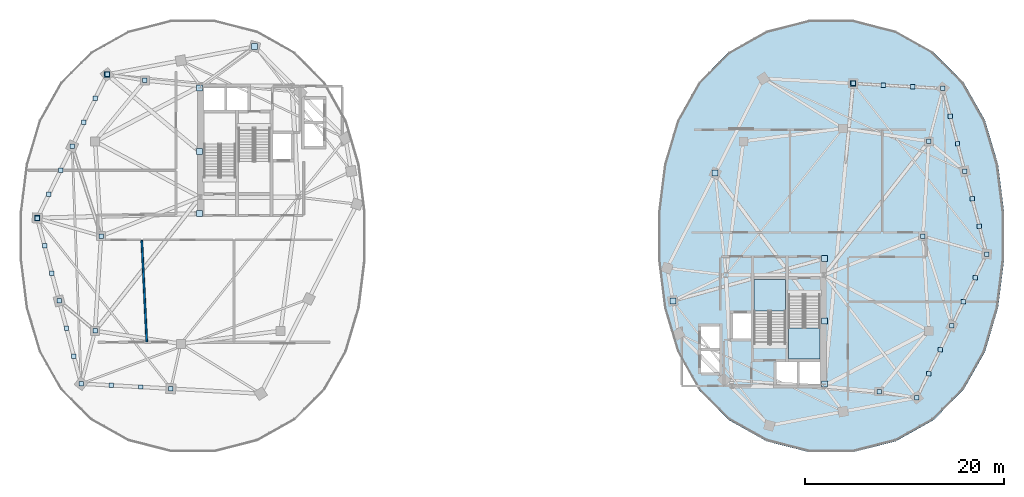
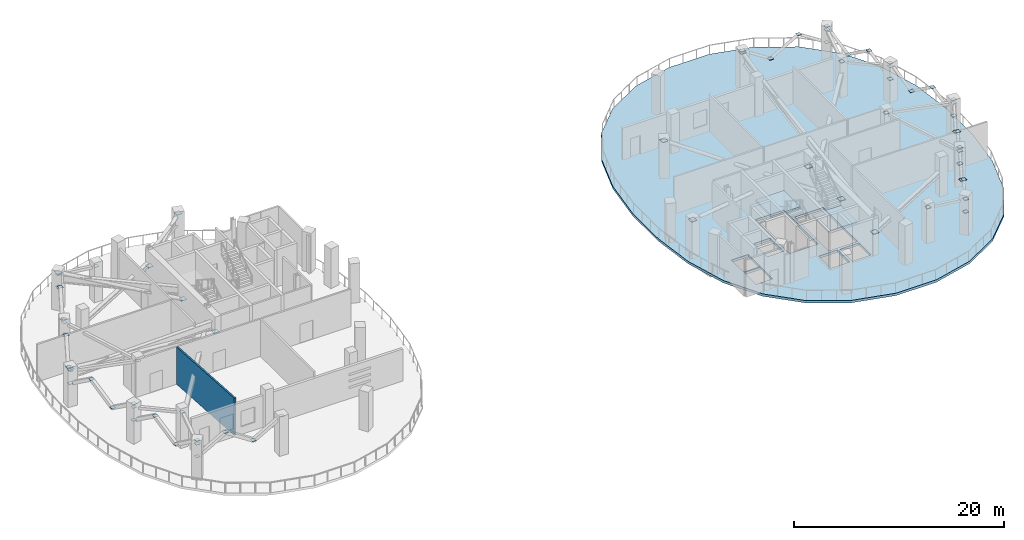
# One storey, part 6 of 14: 68 plates, 3 slabs, 1 wall, 2 elements without a shape of their own.
"""IFC4 building model written with IfcOpenShell, lengths in metres."""

from ifc_helpers import new_model, si_unit, direction, frame, frame_2d, origin, origin_2d, place, context, subcontext, project, spatial, polyline, rectangle, outline, extrude, material, layer, layer_set, type_object, element, aggregate, save


model = new_model("IFC4")

# Units and contexts
model_context = context("Model", 3, precision=1e-05, world=origin(), true_north=direction((0.0, 1.0)))
body_context = subcontext(model_context, "Body", "Model", "MODEL_VIEW")
ifc_project = project(units=[si_unit("LENGTHUNIT", "METRE"), si_unit("AREAUNIT", "SQUARE_METRE"), si_unit("VOLUMEUNIT", "CUBIC_METRE"), si_unit("PLANEANGLEUNIT", "RADIAN"), si_unit("MASSUNIT", "GRAM", prefix="KILO"), si_unit("THERMODYNAMICTEMPERATUREUNIT", "KELVIN"), si_unit("POWERUNIT", "WATT")], contexts=[model_context])

# Site, building, storey
site_placement = place(None, origin())
site = spatial("IfcSite", under=ifc_project, at=site_placement, CompositionType="ELEMENT")
building_placement = place(site_placement, origin())
building = spatial("IfcBuilding", under=site, at=building_placement, Name="Cundina Bronze Exchange", CompositionType="ELEMENT")
storey_placement = place(building_placement, frame((0.0, 0.0, 187.199951171875)))
storey = spatial("IfcBuildingStorey", under=building, at=storey_placement, Name="L49", CompositionType="ELEMENT", Elevation=187.199951171875)

# Plates
ifc_material_1 = material(Name="Steel ASTM A572 Grade 50", Category="steel")
ifc_layer_1 = layer(ifc_material_1, 0.02001953125, Name="Steel ASTM A572 Grade 50", Category="steel")
ifc_layer_set_1 = layer_set([ifc_layer_1], Name="Steel ASTM A572 Grade 50")
plate_type_1 = type_object("IfcPlateType", Name="PLT-CAP-STL20", PredefinedType="USERDEFINED", material=ifc_layer_set_1)
for number, where, z_axis, x_axis, name in (
    (1, (-47.60009765625, 1.800048828125, 2.400146484375), (0.0, 0.0, 1.0), (1.0, 0.0, 0.0), "L49 W Perimeter Belt M-Truss Diagonal 1A End Cap Plate 1"),
    (2, (-46.86669921875, -0.966796875, 4.2900390625), (0.0, 0.0, 1.0), (1.0, 0.0, 0.0), "L49 W Perimeter Belt M-Truss Diagonal 1A End Cap Plate 2"),
    (3, (-46.13330078125, -3.7333984375, 2.400146484375), (0.0, 0.0, 1.0), (1.0, 0.0, 0.0), "L49 W Perimeter Belt M-Truss Diagonal 1B End Cap Plate 2"),
    (4, (-45.39990234375, -6.5, 4.2900390625), (0.0, 0.0, 1.0), (1.0, 0.0, 0.0), "L49 W Perimeter Belt M-Truss Diagonal 1C End Cap Plate 2"),
    (5, (-41.199951171875, 0.0, 3.880126953125), (0.0, 0.0, 1.0), (1.0, 0.0, 0.0), "L49 W Outrigger Collector Strut 1 End Cap Plate 1"),
    (6, (-47.60009765625, 1.800048828125, 3.880126953125), (0.0, 0.0, 1.0), (1.0, 0.0, 0.0), "L49 W Outrigger Collector Strut 1 End Cap Plate 2"),
    (7, (-44.10009765625, 9.0, 2.400146484375), (0.0, 0.0, 1.0), (1.0, 0.0, 0.0), "L49 W Perimeter Belt M-Truss Diagonal 2A End Cap Plate 1"),
    (8, (-45.2666015625, 6.60009765625, 4.2900390625), (0.0, 0.0, 1.0), (1.0, 0.0, 0.0), "L49 W Perimeter Belt M-Truss Diagonal 2A End Cap Plate 2"),
    (9, (-46.433349609375, 4.199951171875, 2.400146484375), (0.0, 0.0, 1.0), (1.0, 0.0, 0.0), "L49 W Perimeter Belt M-Truss Diagonal 2B End Cap Plate 2"),
    (10, (-47.60009765625, 1.800048828125, 4.2900390625), (0.0, 0.0, 1.0), (1.0, 0.0, 0.0), "L49 W Perimeter Belt M-Truss Diagonal 2C End Cap Plate 2"),
    (11, (-44.10009765625, 9.0, 3.880126953125), (0.0, 0.0, 1.0), (1.0, 0.0, 0.0), "L49 W Outrigger Collector Strut 2 End Cap Plate 2"),
    (12, (-45.39990234375, -6.5, 2.400146484375), (0.0, 0.0, 1.0), (1.0, 0.0, 0.0), "L49 W Perimeter Belt M-Truss Diagonal 3A End Cap Plate 1"),
    (13, (-44.666748046875, -9.2666015625, 4.2900390625), (0.0, 0.0, 1.0), (1.0, 0.0, 0.0), "L49 W Perimeter Belt M-Truss Diagonal 3A End Cap Plate 2"),
    (14, (-43.933349609375, -12.033203125, 2.400146484375), (0.0, 0.0, 1.0), (1.0, 0.0, 0.0), "L49 W Perimeter Belt M-Truss Diagonal 3B End Cap Plate 2"),
    (15, (-43.199951171875, -14.800048828125, 4.2900390625), (0.0, 0.0, 1.0), (1.0, 0.0, 0.0), "L49 W Perimeter Belt M-Truss Diagonal 3C End Cap Plate 2"),
    (16, (-41.800048828125, -9.5, 3.880126953125), (0.0, 0.0, 1.0), (1.0, 0.0, 0.0), "L49 W Outrigger Collector Strut 3 End Cap Plate 1"),
    (17, (-45.39990234375, -6.5, 3.880126953125), (0.0, 0.0, 1.0), (1.0, 0.0, 0.0), "L49 W Outrigger Collector Strut 3 End Cap Plate 2"),
    (18, (-40.60009765625, 16.199951171875, 2.400146484375), (0.0, 0.0, 1.0), (1.0, 0.0, 0.0), "L49 W Perimeter Belt M-Truss Diagonal 4A End Cap Plate 1"),
    (19, (-41.7666015625, 13.800048828125, 4.2900390625), (0.0, 0.0, 1.0), (1.0, 0.0, 0.0), "L49 W Perimeter Belt M-Truss Diagonal 4A End Cap Plate 2"),
    (20, (-42.933349609375, 11.39990234375, 2.400146484375), (0.0, 0.0, 1.0), (1.0, 0.0, 0.0), "L49 W Perimeter Belt M-Truss Diagonal 4B End Cap Plate 2"),
    (21, (-44.10009765625, 9.0, 4.2900390625), (0.0, 0.0, 1.0), (1.0, 0.0, 0.0), "L49 W Perimeter Belt M-Truss Diagonal 4C End Cap Plate 2"),
    (22, (-36.800048828125, 15.60009765625, 3.880126953125), (0.0, 0.0, 1.0), (1.0, 0.0, 0.0), "L49 W Outrigger Collector Strut 4 End Cap Plate 1"),
    (23, (-40.60009765625, 16.199951171875, 3.880126953125), (0.0, 0.0, 1.0), (1.0, 0.0, 0.0), "L49 W Outrigger Collector Strut 4 End Cap Plate 2"),
    (24, (-43.199951171875, -14.800048828125, 2.400146484375), (0.0, 0.0, 1.0), (1.0, 0.0, 0.0), "L49 W Perimeter Belt M-Truss Diagonal 5A End Cap Plate 1"),
    (25, (-40.199951171875, -14.966796875, 4.2900390625), (0.0, 0.0, 1.0), (1.0, 0.0, 0.0), "L49 W Perimeter Belt M-Truss Diagonal 5A End Cap Plate 2"),
    (26, (-37.199951171875, -15.13330078125, 2.400146484375), (0.0, 0.0, 1.0), (1.0, 0.0, 0.0), "L49 W Perimeter Belt M-Truss Diagonal 5B End Cap Plate 2"),
    (27, (-34.199951171875, -15.300048828125, 4.2900390625), (0.0, 0.0, 1.0), (1.0, 0.0, 0.0), "L49 W Perimeter Belt M-Truss Diagonal 5C End Cap Plate 2"),
    (28, (-43.199951171875, -14.800048828125, 3.880126953125), (0.0, 0.0, 1.0), (1.0, 0.0, 0.0), "L49 W Outrigger Collector Strut 5 End Cap Plate 2"),
    (29, (47.60009765625, -1.800048828125, 2.400146484375), (0.0, 0.0, 1.0), (1.0, 0.0, 0.0), "L49 E Perimeter Belt M-Truss Diagonal 1A End Cap Plate 1"),
    (30, (46.86669921875, 0.966796875, 4.2900390625), (0.0, 0.0, 1.0), (1.0, 0.0, 0.0), "L49 E Perimeter Belt M-Truss Diagonal 1A End Cap Plate 2"),
    (31, (46.13330078125, 3.7333984375, 2.400146484375), (0.0, 0.0, 1.0), (1.0, 0.0, 0.0), "L49 E Perimeter Belt M-Truss Diagonal 1B End Cap Plate 2"),
    (32, (45.39990234375, 6.5, 4.2900390625), (0.0, 0.0, 1.0), (1.0, 0.0, 0.0), "L49 E Perimeter Belt M-Truss Diagonal 1C End Cap Plate 2"),
    (33, (41.199951171875, 0.0, 3.880126953125), (0.0, 0.0, 1.0), (1.0, 0.0, 0.0), "L49 E Outrigger Collector Strut 1 End Cap Plate 1"),
    (34, (47.60009765625, -1.800048828125, 3.880126953125), (0.0, 0.0, 1.0), (1.0, 0.0, 0.0), "L49 E Outrigger Collector Strut 1 End Cap Plate 2"),
    (35, (44.10009765625, -9.0, 2.400146484375), (0.0, 0.0, 1.0), (1.0, 0.0, 0.0), "L49 E Perimeter Belt M-Truss Diagonal 2A End Cap Plate 1"),
    (36, (45.2666015625, -6.60009765625, 4.2900390625), (0.0, 0.0, 1.0), (1.0, 0.0, 0.0), "L49 E Perimeter Belt M-Truss Diagonal 2A End Cap Plate 2"),
    (37, (46.433349609375, -4.199951171875, 2.400146484375), (0.0, 0.0, 1.0), (1.0, 0.0, 0.0), "L49 E Perimeter Belt M-Truss Diagonal 2B End Cap Plate 2"),
    (38, (47.60009765625, -1.800048828125, 4.2900390625), (0.0, 0.0, 1.0), (1.0, 0.0, 0.0), "L49 E Perimeter Belt M-Truss Diagonal 2C End Cap Plate 2"),
    (39, (44.10009765625, -9.0, 3.880126953125), (0.0, 0.0, 1.0), (1.0, 0.0, 0.0), "L49 E Outrigger Collector Strut 2 End Cap Plate 2"),
    (40, (45.39990234375, 6.5, 2.400146484375), (0.0, 0.0, 1.0), (1.0, 0.0, 0.0), "L49 E Perimeter Belt M-Truss Diagonal 3A End Cap Plate 1"),
    (41, (44.666748046875, 9.2666015625, 4.2900390625), (0.0, 0.0, 1.0), (1.0, 0.0, 0.0), "L49 E Perimeter Belt M-Truss Diagonal 3A End Cap Plate 2"),
    (42, (43.933349609375, 12.033203125, 2.400146484375), (0.0, 0.0, 1.0), (1.0, 0.0, 0.0), "L49 E Perimeter Belt M-Truss Diagonal 3B End Cap Plate 2"),
    (43, (43.199951171875, 14.800048828125, 4.2900390625), (0.0, 0.0, 1.0), (1.0, 0.0, 0.0), "L49 E Perimeter Belt M-Truss Diagonal 3C End Cap Plate 2"),
    (44, (41.800048828125, 9.5, 3.880126953125), (0.0, 0.0, 1.0), (1.0, 0.0, 0.0), "L49 E Outrigger Collector Strut 3 End Cap Plate 1"),
    (45, (45.39990234375, 6.5, 3.880126953125), (0.0, 0.0, 1.0), (1.0, 0.0, 0.0), "L49 E Outrigger Collector Strut 3 End Cap Plate 2"),
    (46, (40.60009765625, -16.199951171875, 2.400146484375), (0.0, 0.0, 1.0), (1.0, 0.0, 0.0), "L49 E Perimeter Belt M-Truss Diagonal 4A End Cap Plate 1"),
    (47, (41.7666015625, -13.800048828125, 4.2900390625), (0.0, 0.0, 1.0), (1.0, 0.0, 0.0), "L49 E Perimeter Belt M-Truss Diagonal 4A End Cap Plate 2"),
    (48, (42.933349609375, -11.39990234375, 2.400146484375), (0.0, 0.0, 1.0), (1.0, 0.0, 0.0), "L49 E Perimeter Belt M-Truss Diagonal 4B End Cap Plate 2"),
    (49, (44.10009765625, -9.0, 4.2900390625), (0.0, 0.0, 1.0), (1.0, 0.0, 0.0), "L49 E Perimeter Belt M-Truss Diagonal 4C End Cap Plate 2"),
    (50, (36.800048828125, -15.60009765625, 3.880126953125), (0.0, 0.0, 1.0), (1.0, 0.0, 0.0), "L49 E Outrigger Collector Strut 4 End Cap Plate 1"),
    (51, (40.60009765625, -16.199951171875, 3.880126953125), (0.0, 0.0, 1.0), (1.0, 0.0, 0.0), "L49 E Outrigger Collector Strut 4 End Cap Plate 2"),
    (52, (43.199951171875, 14.800048828125, 2.400146484375), (0.0, 0.0, 1.0), (1.0, 0.0, 0.0), "L49 E Perimeter Belt M-Truss Diagonal 5A End Cap Plate 1"),
    (53, (40.199951171875, 14.966796875, 4.2900390625), (0.0, 0.0, 1.0), (1.0, 0.0, 0.0), "L49 E Perimeter Belt M-Truss Diagonal 5A End Cap Plate 2"),
    (54, (37.199951171875, 15.13330078125, 2.400146484375), (0.0, 0.0, 1.0), (1.0, 0.0, 0.0), "L49 E Perimeter Belt M-Truss Diagonal 5B End Cap Plate 2"),
    (55, (34.199951171875, 15.300048828125, 4.2900390625), (0.0, 0.0, 1.0), (1.0, 0.0, 0.0), "L49 E Perimeter Belt M-Truss Diagonal 5C End Cap Plate 2"),
    (56, (43.199951171875, 14.800048828125, 3.880126953125), (0.0, 0.0, 1.0), (1.0, 0.0, 0.0), "L49 E Outrigger Collector Strut 5 End Cap Plate 2"),
):
    element("IfcPlate", number, at=place(storey_placement, frame(where, z_axis=z_axis, x_axis=x_axis)), inside=storey, type_object=plate_type_1, Name=name, ObjectType="STIFFENER_PLATE", PredefinedType="USERDEFINED", context=body_context, shape_type="SweptSolid", body=[
        extrude(rectangle(XDim=0.449951171875, YDim=0.449951171875, at=origin_2d()), origin(), (0.0, 0.0, 1.0), 0.02001953125),
    ])
ifc_layer_2 = layer(ifc_material_1, 0.02490234375, Name="Steel ASTM A572 Grade 50", Category="steel")
ifc_layer_set_2 = layer_set([ifc_layer_2], Name="Steel ASTM A572 Grade 50")
plate_type_2 = type_object("IfcPlateType", Name="PLT-CAP-STL25", PredefinedType="USERDEFINED", material=ifc_layer_set_2)
for number, where, z_axis, x_axis, name in (
    (57, (-31.35009765625, 14.85009765625, 2.4375), (0.0, 0.0, 1.0), (1.0, 0.0, 0.0), "L49 W Outrigger Truss Diagonal 1 End Cap Plate 1"),
    (58, (-25.800048828125, 19.0, 4.127685546875), (0.0, 0.0, 1.0), (1.0, 0.0, 0.0), "L49 W Outrigger Truss Diagonal 1 End Cap Plate 2"),
    (59, (-31.35009765625, 8.5, 2.4375), (0.0, 0.0, 1.0), (1.0, 0.0, 0.0), "L49 W Outrigger Truss Diagonal 2 End Cap Plate 1"),
    (60, (-40.60009765625, 16.199951171875, 4.127685546875), (0.0, 0.0, 1.0), (1.0, 0.0, 0.0), "L49 W Outrigger Truss Diagonal 2 End Cap Plate 2"),
    (61, (-31.35009765625, 2.25, 2.4375), (0.0, 0.0, 1.0), (1.0, 0.0, 0.0), "L49 W Outrigger Truss Diagonal 3 End Cap Plate 1"),
    (62, (-47.60009765625, 1.800048828125, 4.127685546875), (0.0, 0.0, 1.0), (1.0, 0.0, 0.0), "L49 W Outrigger Truss Diagonal 3 End Cap Plate 2"),
    (63, (31.35009765625, -14.85009765625, 2.4375), (0.0, 0.0, 1.0), (1.0, 0.0, 0.0), "L49 E Outrigger Truss Diagonal 1 End Cap Plate 1"),
    (64, (34.199951171875, 15.300048828125, 4.127685546875), (0.0, 0.0, 1.0), (1.0, 0.0, 0.0), "L49 E Outrigger Truss Diagonal 1 End Cap Plate 2"),
    (65, (31.35009765625, -8.5, 2.4375), (0.0, 0.0, 1.0), (1.0, 0.0, 0.0), "L49 E Outrigger Truss Diagonal 2 End Cap Plate 1"),
    (66, (20.375, 6.300048828125, 4.127685546875), (0.0, 0.0, 1.0), (1.0, 0.0, 0.0), "L49 E Outrigger Truss Diagonal 2 End Cap Plate 2"),
    (67, (31.35009765625, -2.25, 2.4375), (0.0, 0.0, 1.0), (1.0, 0.0, 0.0), "L49 E Outrigger Truss Diagonal 3 End Cap Plate 1"),
    (68, (16.125, -6.5, 4.127685546875), (0.0, 0.0, 1.0), (1.0, 0.0, 0.0), "L49 E Outrigger Truss Diagonal 3 End Cap Plate 2"),
):
    element("IfcPlate", number, at=place(storey_placement, frame(where, z_axis=z_axis, x_axis=x_axis)), inside=storey, type_object=plate_type_2, Name=name, ObjectType="STIFFENER_PLATE", PredefinedType="USERDEFINED", context=body_context, shape_type="SweptSolid", body=[
        extrude(rectangle(XDim=0.60009765625, YDim=0.60009765625, at=origin_2d()), origin(), (0.0, 0.0, 1.0), 0.02490234375),
    ])

# Stair, slab
ifc_material_2 = material(Name="Concrete C40/50", Category="concrete")
stair_type = type_object("IfcStairType", Name="STR-REF-460", PredefinedType="HALF_TURN_STAIR", material=ifc_material_2)
stair_1_placement = place(storey_placement, origin())
stair_1 = element("IfcStair", 69, at=stair_1_placement, inside=storey, type_object=stair_type, Name="L49 Smokeproof Exit Stair E1", PredefinedType="HALF_TURN_STAIR")
ifc_layer_3 = layer(ifc_material_2, 0.199951171875, Name="Concrete C40/50", Category="concrete")
ifc_layer_set_3 = layer_set([ifc_layer_3], Name="Concrete C40/50")
slab_type_1 = type_object("IfcSlabType", Name="SLB-LND-200", PredefinedType="LANDING", material=ifc_layer_set_3)
slab_1_placement = place(storey_placement, frame((0.0, 0.0, 2.10009765625)))
slab_1 = element("IfcSlab", 70, at=slab_1_placement, type_object=slab_type_1, Name="ST-E1 landing 1", PredefinedType="LANDING", context=body_context, shape_type="SweptSolid", body=[
    extrude(outline(polyline([(27.739990234375, -9.2099609375), (27.739990234375, -12.35009765625), (30.89990234375, -12.35009765625), (30.89990234375, -9.2099609375), (27.739990234375, -9.2099609375)])), origin(), (0.0, 0.0, 1.0), 0.199951171875),
])
aggregate(stair_1, [slab_1])

stair_2_placement = place(storey_placement, origin())
stair_2 = element("IfcStair", 71, at=stair_2_placement, inside=storey, type_object=stair_type, Name="L49 Smokeproof Exit Stair E2", PredefinedType="HALF_TURN_STAIR")
slab_2_placement = place(storey_placement, frame((0.0, 0.0, 2.10009765625)))
slab_2 = element("IfcSlab", 72, at=slab_2_placement, type_object=slab_type_1, Name="ST-E2 landing 1", PredefinedType="LANDING", context=body_context, shape_type="SweptSolid", body=[
    extrude(outline(polyline([(27.43994140625, -7.489990234375), (27.43994140625, -4.35009765625), (24.280029296875, -4.35009765625), (24.280029296875, -7.489990234375), (27.43994140625, -7.489990234375)])), origin(), (0.0, 0.0, 1.0), 0.199951171875),
])
aggregate(stair_2, [slab_2])

# Slab
ifc_material_3 = material(Name="Concrete C50/60", Category="concrete")
ifc_layer_4 = layer(ifc_material_3, 0.280029296875, Name="Concrete C50/60", Category="concrete")
ifc_layer_set_4 = layer_set([ifc_layer_4], Name="Concrete C50/60")
slab_type_2 = type_object("IfcSlabType", Name="SLB-REF-280", PredefinedType="FLOOR", material=ifc_layer_set_4)
slab_3_placement = place(storey_placement, frame((0.0, 0.0, -0.280029296875)))
element("IfcSlab", 73, at=slab_3_placement, inside=storey, type_object=slab_type_2, Name="L49 Leg E Structural Floor Slab", PredefinedType="FLOOR", context=body_context, shape_type="SweptSolid", body=[
    extrude(outline(polyline([(49.3291015625, 2.44091796875), (48.735107421875, 7.199951171875), (47.427978515625, 11.597900390625), (45.27587890625, 15.4150390625), (42.248046875, 18.458984375), (38.47607421875, 20.576904296875), (34.214111328125, 21.6630859375), (29.785888671875, 21.6630859375), (25.52392578125, 20.576904296875), (21.751953125, 18.458984375), (18.72412109375, 15.4150390625), (16.572021484375, 11.597900390625), (15.264892578125, 7.199951171875), (14.6708984375, 2.44091796875), (14.6708984375, -2.44091796875), (15.264892578125, -7.199951171875), (16.572021484375, -11.597900390625), (18.72412109375, -15.4150390625), (21.751953125, -18.458984375), (25.52392578125, -20.576904296875), (29.785888671875, -21.6630859375), (34.214111328125, -21.6630859375), (38.47607421875, -20.576904296875), (42.248046875, -18.458984375), (45.27587890625, -15.4150390625), (47.427978515625, -11.597900390625), (48.735107421875, -7.199951171875), (49.3291015625, -2.44091796875), (49.3291015625, 2.44091796875)]), holes=[polyline([(27.739990234375, -5.85009765625), (27.739990234375, -12.35009765625), (30.89990234375, -12.35009765625), (30.89990234375, -5.85009765625), (27.739990234375, -5.85009765625)]), polyline([(27.43994140625, -10.85009765625), (27.43994140625, -4.35009765625), (24.280029296875, -4.35009765625), (24.280029296875, -10.85009765625), (27.43994140625, -10.85009765625)]), polyline([(22.179931640625, -7.75), (23.97998046875, -7.75), (23.97998046875, -10.25), (22.179931640625, -10.25), (22.179931640625, -7.75)]), polyline([(28.85009765625, -12.64990234375), (30.89990234375, -12.64990234375), (30.89990234375, -14.949951171875), (28.85009765625, -14.949951171875), (28.85009765625, -12.64990234375)]), polyline([(26.5, -12.64990234375), (28.550048828125, -12.64990234375), (28.550048828125, -14.949951171875), (26.5, -14.949951171875), (26.5, -12.64990234375)]), polyline([(18.949951171875, -11.449951171875), (20.800048828125, -11.449951171875), (20.800048828125, -13.699951171875), (18.949951171875, -13.699951171875), (18.949951171875, -11.449951171875)]), polyline([(18.949951171875, -9.050048828125), (20.800048828125, -9.050048828125), (20.800048828125, -11.300048828125), (18.949951171875, -11.300048828125), (18.949951171875, -9.050048828125)])]), origin(), (0.0, 0.0, 1.0), 0.280029296875),
])

# Wall
ifc_material_4 = material(Name="Gypsum Fireboard Partition EI120")
ifc_layer_5 = layer(ifc_material_4, 0.179931640625, Name="Gypsum Fireboard Partition EI120")
ifc_layer_set_5 = layer_set([ifc_layer_5], Name="Gypsum Fireboard Partition EI120")
wall_type = type_object("IfcWallType", Name="WL-COR-180", PredefinedType="PARTITIONING", material=ifc_layer_set_5)
wall_placement = place(storey_placement, frame((-36.6201171875, -10.60009765625, 0.0), z_axis=(0.0, 0.0, 1.0), x_axis=(-0.049152358869, 0.998791292322, 0.0)))
element("IfcWall", 74, at=wall_placement, inside=storey, type_object=wall_type, Name="L49 Interior Partition 009", PredefinedType="PARTITIONING", context=body_context, shape_type="SweptSolid", body=[
    extrude(rectangle(XDim=10.17236328125, YDim=0.179931640625, at=frame_2d((5.086181640625, 0.0))), origin(), (0.0, 0.0, 1.0), 4.340087890625),
])

save(model, "model.ifc")
